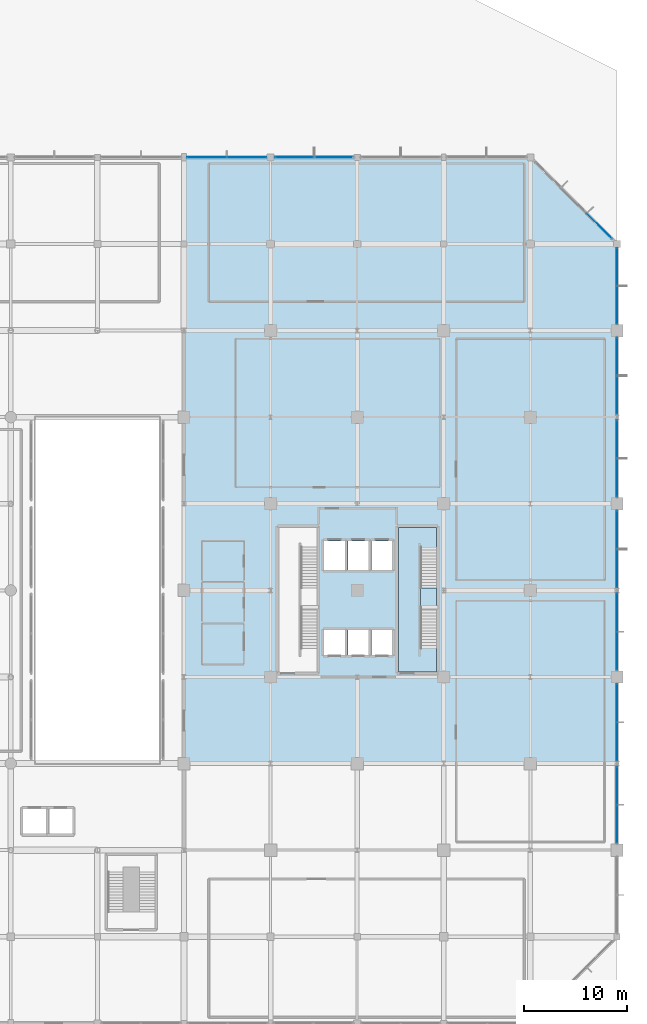
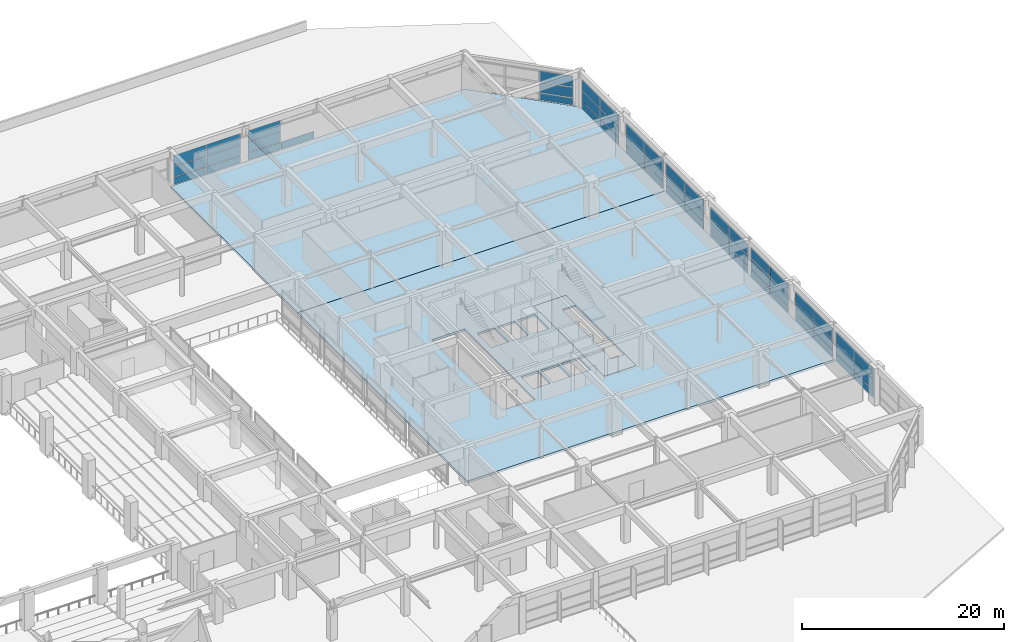
# One storey, part 41 of 60: 55 plates, 4 slabs, 11 elements without a shape of their own.
"""IFC4 building model written with IfcOpenShell, lengths in metres."""

import ifcopenshell
import ifcopenshell.guid

model = None  # the IFC model being written
_history = None  # IfcOwnerHistory: only IFC2X3 demands one
_inside = {}  # id of a spatial element -> (the spatial element, [elements in it])
_under = {}  # id of a project, library or spatial element -> (it, [spatial elements below it])
_declared = {}  # id of a project -> (the project, [libraries it declares])
_typed = {}  # id of a type object -> (the type object, [elements of that type])
_made_of = {}  # id of a material, layer set ... -> (it, [elements and type objects made of it])


def new_model(schema):
    """Start an empty IFC model of exactly this schema.

    Asked for "IFC4X3", IfcOpenShell would pick the latest addendum, in which some entities
    have other attributes; the version numbers below select the first issue.
    IFC2X3 requires an IfcOwnerHistory on every rooted entity: one is made here for all.
    """
    global model, _history
    if schema == "IFC4X3":
        model = ifcopenshell.file(schema_version=(4, 3, 0, 0))
    else:
        model = ifcopenshell.file(schema=schema)
    _inside.clear()
    _under.clear()
    _declared.clear()
    _typed.clear()
    _made_of.clear()
    _history = None
    if model.schema == "IFC2X3":
        org = make("IfcOrganization", Name="unknown")
        user = make(
            "IfcPersonAndOrganization",
            ThePerson=make("IfcPerson", FamilyName="unknown"),
            TheOrganization=org,
        )
        app = make(
            "IfcApplication",
            ApplicationDeveloper=org,
            Version="unknown",
            ApplicationFullName="unknown",
            ApplicationIdentifier="unknown",
        )
        _history = make(
            "IfcOwnerHistory",
            OwningUser=user,
            OwningApplication=app,
            ChangeAction="ADDED",
            CreationDate=0,
        )
    return model


def make(cls, **values):
    """One entity of the class cls with the attributes given. An attribute that is None is left unset."""
    return model.create_entity(
        cls, **{name: value for name, value in values.items() if value is not None}
    )


def rooted(cls, **values):
    """An entity with a GlobalId (a new one), such as an element, a storey or a relation."""
    return make(cls, GlobalId=ifcopenshell.guid.new(), OwnerHistory=_history, **values)


def si_unit(unit_type, name, prefix=None):
    """IfcSIUnit, for example si_unit("LENGTHUNIT", "METRE", prefix="MILLI")."""
    return make("IfcSIUnit", UnitType=unit_type, Prefix=prefix, Name=name)


def assignment(units):
    """IfcUnitAssignment: the units of a project."""
    return None if units is None else make("IfcUnitAssignment", Units=units)


def point(xyz):
    """IfcCartesianPoint."""
    return None if xyz is None else make("IfcCartesianPoint", Coordinates=xyz)


def direction(xyz):
    """IfcDirection."""
    return None if xyz is None else make("IfcDirection", DirectionRatios=xyz)


def frame(location, z_axis=None, x_axis=None):
    """IfcAxis2Placement3D, a coordinate frame: its origin and axes. An axis left out is left unset."""
    return make(
        "IfcAxis2Placement3D",
        Location=point(location),
        Axis=direction(z_axis),
        RefDirection=direction(x_axis),
    )


def frame_2d(location, x_axis=None):
    """IfcAxis2Placement2D, a coordinate frame in the plane: its origin and x axis."""
    return make(
        "IfcAxis2Placement2D", Location=point(location), RefDirection=direction(x_axis)
    )


def origin():
    """The frame at (0, 0, 0) with its axes left unset."""
    return frame((0.0, 0.0, 0.0))


def origin_2d():
    """The frame at (0, 0) in the plane with its x axis left unset."""
    return frame_2d((0.0, 0.0))


def place(relative_to, where):
    """IfcLocalPlacement: puts the frame where relative to a parent placement (None: the world)."""
    return make(
        "IfcLocalPlacement", PlacementRelTo=relative_to, RelativePlacement=where
    )


def context(
    kind, dimensions, precision=None, world=None, true_north=None, identifier=None
):
    """IfcGeometricRepresentationContext, for example the 3D "Model" context."""
    return make(
        "IfcGeometricRepresentationContext",
        ContextIdentifier=identifier,
        ContextType=kind,
        CoordinateSpaceDimension=dimensions,
        Precision=precision,
        WorldCoordinateSystem=world,
        TrueNorth=true_north,
    )


def subcontext(parent, identifier, kind, view, scale=None):
    """IfcGeometricRepresentationSubContext, for example "Body" below "Model"."""
    return make(
        "IfcGeometricRepresentationSubContext",
        ContextIdentifier=identifier,
        ContextType=kind,
        ParentContext=parent,
        TargetScale=scale,
        TargetView=view,
    )


def project(units=None, contexts=None):
    """IfcProject with its units and contexts."""
    return rooted(
        "IfcProject",
        Name="project",
        RepresentationContexts=contexts,
        UnitsInContext=assignment(units),
    )


def spatial(cls, under=None, at=None, **own):
    """A site, building, storey or space (cls), placed at a placement, below another one or the project."""
    s = rooted(cls, ObjectPlacement=at, **own)
    if under is not None:
        _under.setdefault(under.id(), (under, []))[1].append(s)
    return s


def polyline(points):
    """IfcPolyline through the points."""
    return make("IfcPolyline", Points=[point(p) for p in points])


def profile(cls, at=None, kind="AREA", **sizes):
    """A parametric profile (cls). Its sizes go by their IFC names, for example OverallWidth=200.0."""
    return make(cls, ProfileType=kind, Position=at, **sizes)


def rectangle(**sizes):
    """IfcRectangleProfileDef."""
    return profile("IfcRectangleProfileDef", **sizes)


def outline(outer, holes=None, kind="AREA"):
    """IfcArbitraryClosedProfileDef: a profile drawn as a closed curve; with holes, ...WithVoids."""
    if holes is None:
        return make("IfcArbitraryClosedProfileDef", ProfileType=kind, OuterCurve=outer)
    return make(
        "IfcArbitraryProfileDefWithVoids",
        ProfileType=kind,
        OuterCurve=outer,
        InnerCurves=holes,
    )


def extrude(swept, where, along, depth):
    """IfcExtrudedAreaSolid: the profile swept, set in the frame where, extruded along a direction by depth."""
    return make(
        "IfcExtrudedAreaSolid",
        SweptArea=swept,
        Position=where,
        ExtrudedDirection=direction(along),
        Depth=depth,
    )


def shape(context_of_items, identifier, shape_type, items):
    """IfcShapeRepresentation: the items that make up one representation, for example the "Body"."""
    return make(
        "IfcShapeRepresentation",
        ContextOfItems=context_of_items,
        RepresentationIdentifier=identifier,
        RepresentationType=shape_type,
        Items=items,
    )


def material(Name=None, Category=None):
    """IfcMaterial."""
    return make("IfcMaterial", Name=Name, Category=Category)


def layer(
    of_material, thickness, ventilated=None, Name=None, Category=None, Priority=None
):
    """IfcMaterialLayer: one layer of a wall or slab, of a material (None: an air gap)."""
    return make(
        "IfcMaterialLayer",
        Material=of_material,
        LayerThickness=thickness,
        IsVentilated=ventilated,
        Name=Name,
        Category=Category,
        Priority=Priority,
    )


def layer_set(layers, Name=None):
    """IfcMaterialLayerSet."""
    return make("IfcMaterialLayerSet", MaterialLayers=layers, LayerSetName=Name)


def made_of(thing, what):
    """Note that an element or type object is made of a material, layer set ...; save() writes the relation."""
    if what is not None:
        _made_of.setdefault(what.id(), (what, []))[1].append(thing)
    return thing


def type_object(cls, material=None, **own):
    """A type object (cls), such as IfcWallType, which elements share."""
    return made_of(rooted(cls, **own), material)


def element(
    cls,
    number,
    at=None,
    inside=None,
    cuts=None,
    type_object=None,
    material=None,
    context=None,
    identifier="Body",
    shape_type=None,
    held_by="IfcProductDefinitionShape",
    body=None,
    shapes=None,
    **own,
):
    """One element of the class cls, such as IfcWall. Its Tag is "e" and its number.

    at: its placement. inside: the storey or other place that contains it. cuts: it is an
    opening in that element (IfcRelVoidsElement). A single representation is given by context,
    identifier, shape_type and body (its items); several are given by shapes. held_by: the class
    of the entity that holds the representations. save() writes the other relations.
    """
    e = rooted(cls, Tag="e%d" % number, ObjectPlacement=at, **own)
    if body is not None:
        shapes = [shape(context, identifier, shape_type, body)]
    if shapes is not None:
        e.Representation = make(held_by, Representations=shapes)
    if inside is not None:
        _inside.setdefault(inside.id(), (inside, []))[1].append(e)
    if cuts is not None:
        rooted(
            "IfcRelVoidsElement", RelatingBuildingElement=cuts, RelatedOpeningElement=e
        )
    if type_object is not None:
        _typed.setdefault(type_object.id(), (type_object, []))[1].append(e)
    return made_of(e, material)


def aggregate(whole, parts):
    """IfcRelAggregates: a whole, such as a stair, and the parts it consists of."""
    return rooted("IfcRelAggregates", RelatingObject=whole, RelatedObjects=parts)


def save(model, path):
    """Write the relations noted so far, then the file.

    IfcRelAggregates (storeys below a building ...), IfcRelContainedInSpatialStructure (elements
    in a storey), IfcRelDefinesByType, IfcRelAssociatesMaterial and IfcRelDeclares: one each for
    every whole, place, type object, material and project.
    """
    for whole, parts in _under.values():
        aggregate(whole, parts)
    for where, things in _inside.values():
        rooted(
            "IfcRelContainedInSpatialStructure",
            RelatedElements=things,
            RelatingStructure=where,
        )
    for kind, things in _typed.values():
        rooted("IfcRelDefinesByType", RelatedObjects=things, RelatingType=kind)
    for what, things in _made_of.values():
        rooted("IfcRelAssociatesMaterial", RelatedObjects=things, RelatingMaterial=what)
    for by, libraries in _declared.values():
        rooted("IfcRelDeclares", RelatingContext=by, RelatedDefinitions=libraries)
    model.write(path)


model = new_model("IFC4")

# Units and contexts
model_context = context("Model", 3, precision=1e-05, world=origin(), true_north=direction((0.0, 1.0)))
body_context = subcontext(model_context, "Body", "Model", "MODEL_VIEW")
ifc_project = project(units=[si_unit("LENGTHUNIT", "METRE"), si_unit("AREAUNIT", "SQUARE_METRE"), si_unit("VOLUMEUNIT", "CUBIC_METRE"), si_unit("PLANEANGLEUNIT", "RADIAN"), si_unit("MASSUNIT", "GRAM", prefix="KILO")], contexts=[model_context])

# Site, building, storey
site_placement = place(None, origin())
site = spatial("IfcSite", under=ifc_project, at=site_placement, CompositionType="ELEMENT")
building_placement = place(site_placement, origin())
building = spatial("IfcBuilding", under=site, at=building_placement, Name="Xuanlan Plaza Opera House", CompositionType="ELEMENT")
storey_placement = place(building_placement, frame((0.0, 0.0, 9.89990234375)))
storey = spatial("IfcBuildingStorey", under=building, at=storey_placement, Name="L02", CompositionType="ELEMENT", Elevation=9.89990234375)

# Curtain wall, plates
ifc_material_1 = material(Name="Anodised Aluminium 6063-T6 and Low-E Glass", Category="aluminium")
curtain_wall_type_1 = type_object("IfcCurtainWallType", Name="ENV-CW-CW-04", PredefinedType="USERDEFINED", material=ifc_material_1)
curtain_wall_1_placement = place(storey_placement, origin())
curtain_wall_1 = element("IfcCurtainWall", 1, at=curtain_wall_1_placement, inside=storey, type_object=curtain_wall_type_1, Name="Unitised Curtain Wall L02-024", ObjectType="UNITISED CURTAIN WALL", PredefinedType="USERDEFINED")
ifc_material_2 = material(Name="Laminated Acoustic Double Glazing", Category="glass")
ifc_layer_1 = layer(ifc_material_2, 0.028076171875)
ifc_layer_set_1 = layer_set([ifc_layer_1], Name="Laminated Acoustic Double Glazing")
plate_type_1 = type_object("IfcPlateType", Name="ENV-CWP-01", PredefinedType="CURTAIN_PANEL", material=ifc_layer_set_1)
plate_1_placement = place(storey_placement, frame((168.0, 60.93408203125, 0.0703125), z_axis=(0.0, 0.0, 1.0), x_axis=(0.0, 1.0, 0.0)))
plate_1 = element("IfcPlate", 2, at=plate_1_placement, type_object=plate_type_1, Name="CW-04 panel 1.1", PredefinedType="CURTAIN_PANEL", context=body_context, shape_type="SweptSolid", body=[
    extrude(rectangle(XDim=3.6640625, YDim=0.028076171875, at=origin_2d()), origin(), (0.0, 0.0, 1.0), 0.844970703125),
])
plate_2_placement = place(storey_placement, frame((168.0, 60.93408203125, 0.985107421875), z_axis=(0.0, 0.0, 1.0), x_axis=(0.0, 1.0, 0.0)))
plate_2 = element("IfcPlate", 3, at=plate_2_placement, type_object=plate_type_1, Name="CW-04 panel 1.2", PredefinedType="CURTAIN_PANEL", context=body_context, shape_type="SweptSolid", body=[
    extrude(rectangle(XDim=3.6640625, YDim=0.028076171875, at=origin_2d()), origin(), (0.0, 0.0, 1.0), 1.22998046875),
])
plate_3_placement = place(storey_placement, frame((168.0, 60.93408203125, 2.28515625), z_axis=(0.0, 0.0, 1.0), x_axis=(0.0, 1.0, 0.0)))
plate_3 = element("IfcPlate", 4, at=plate_3_placement, type_object=plate_type_1, Name="CW-04 panel 1.3", PredefinedType="CURTAIN_PANEL", context=body_context, shape_type="SweptSolid", body=[
    extrude(rectangle(XDim=3.6640625, YDim=0.028076171875, at=origin_2d()), origin(), (0.0, 0.0, 1.0), 1.324951171875),
])
plate_4_placement = place(storey_placement, frame((168.0, 64.673095703125, 0.0703125), z_axis=(0.0, 0.0, 1.0), x_axis=(0.0, 1.0, 0.0)))
plate_4 = element("IfcPlate", 5, at=plate_4_placement, type_object=plate_type_1, Name="CW-04 panel 2.1", PredefinedType="CURTAIN_PANEL", context=body_context, shape_type="SweptSolid", body=[
    extrude(rectangle(XDim=3.6640625, YDim=0.028076171875, at=origin_2d()), origin(), (0.0, 0.0, 1.0), 0.844970703125),
])
plate_5_placement = place(storey_placement, frame((168.0, 64.673095703125, 0.985107421875), z_axis=(0.0, 0.0, 1.0), x_axis=(0.0, 1.0, 0.0)))
plate_5 = element("IfcPlate", 6, at=plate_5_placement, type_object=plate_type_1, Name="CW-04 panel 2.2", PredefinedType="CURTAIN_PANEL", context=body_context, shape_type="SweptSolid", body=[
    extrude(rectangle(XDim=3.6640625, YDim=0.028076171875, at=origin_2d()), origin(), (0.0, 0.0, 1.0), 1.22998046875),
])
plate_6_placement = place(storey_placement, frame((168.0, 64.673095703125, 2.28515625), z_axis=(0.0, 0.0, 1.0), x_axis=(0.0, 1.0, 0.0)))
plate_6 = element("IfcPlate", 7, at=plate_6_placement, type_object=plate_type_1, Name="CW-04 panel 2.3", PredefinedType="CURTAIN_PANEL", context=body_context, shape_type="SweptSolid", body=[
    extrude(rectangle(XDim=3.6640625, YDim=0.028076171875, at=origin_2d()), origin(), (0.0, 0.0, 1.0), 1.324951171875),
])
aggregate(curtain_wall_1, [plate_1, plate_2, plate_3, plate_4, plate_5, plate_6])

curtain_wall_type_2 = type_object("IfcCurtainWallType", Name="ENV-CW-CW-01", PredefinedType="USERDEFINED", material=ifc_material_1)
curtain_wall_2_placement = place(storey_placement, origin())
curtain_wall_2 = element("IfcCurtainWall", 8, at=curtain_wall_2_placement, inside=storey, type_object=curtain_wall_type_2, Name="Unitised Curtain Wall L02-021", ObjectType="UNITISED CURTAIN WALL", PredefinedType="USERDEFINED")
ifc_layer_2 = layer(ifc_material_2, 0.031982421875)
ifc_layer_set_2 = layer_set([ifc_layer_2], Name="Laminated Acoustic Double Glazing")
plate_type_2 = type_object("IfcPlateType", Name="ENV-CWP-02", PredefinedType="CURTAIN_PANEL", material=ifc_layer_set_2)
plate_7_placement = place(storey_placement, frame((168.0, 36.130859375, 0.065185546875), z_axis=(0.0, 0.0, 1.0), x_axis=(0.0, 1.0, 0.0)))
plate_7 = element("IfcPlate", 9, at=plate_7_placement, type_object=plate_type_2, Name="CW-01 panel 1.1", PredefinedType="CURTAIN_PANEL", context=body_context, shape_type="SweptSolid", body=[
    extrude(rectangle(XDim=3.6416015625, YDim=0.031982421875, at=origin_2d()), origin(), (0.0, 0.0, 1.0), 0.8525390625),
])
plate_8_placement = place(storey_placement, frame((168.0, 36.130859375, 0.982421875), z_axis=(0.0, 0.0, 1.0), x_axis=(0.0, 1.0, 0.0)))
plate_8 = element("IfcPlate", 10, at=plate_8_placement, type_object=plate_type_2, Name="CW-01 panel 1.2", PredefinedType="CURTAIN_PANEL", context=body_context, shape_type="SweptSolid", body=[
    extrude(rectangle(XDim=3.6416015625, YDim=0.031982421875, at=origin_2d()), origin(), (0.0, 0.0, 1.0), 1.235107421875),
])
plate_9_placement = place(storey_placement, frame((168.0, 36.130859375, 2.282470703125), z_axis=(0.0, 0.0, 1.0), x_axis=(0.0, 1.0, 0.0)))
plate_9 = element("IfcPlate", 11, at=plate_9_placement, type_object=plate_type_2, Name="CW-01 panel 1.3", PredefinedType="CURTAIN_PANEL", context=body_context, shape_type="SweptSolid", body=[
    extrude(rectangle(XDim=3.6416015625, YDim=0.031982421875, at=origin_2d()), origin(), (0.0, 0.0, 1.0), 1.33251953125),
])
plate_10_placement = place(storey_placement, frame((168.0, 39.8623046875, 0.065185546875), z_axis=(0.0, 0.0, 1.0), x_axis=(0.0, 1.0, 0.0)))
plate_10 = element("IfcPlate", 12, at=plate_10_placement, type_object=plate_type_2, Name="CW-01 panel 2.1", PredefinedType="CURTAIN_PANEL", context=body_context, shape_type="SweptSolid", body=[
    extrude(rectangle(XDim=3.6416015625, YDim=0.031982421875, at=origin_2d()), origin(), (0.0, 0.0, 1.0), 0.8525390625),
])
plate_11_placement = place(storey_placement, frame((168.0, 39.8623046875, 0.982421875), z_axis=(0.0, 0.0, 1.0), x_axis=(0.0, 1.0, 0.0)))
plate_11 = element("IfcPlate", 13, at=plate_11_placement, type_object=plate_type_2, Name="CW-01 panel 2.2", PredefinedType="CURTAIN_PANEL", context=body_context, shape_type="SweptSolid", body=[
    extrude(rectangle(XDim=3.6416015625, YDim=0.031982421875, at=origin_2d()), origin(), (0.0, 0.0, 1.0), 1.235107421875),
])
plate_12_placement = place(storey_placement, frame((168.0, 39.8623046875, 2.282470703125), z_axis=(0.0, 0.0, 1.0), x_axis=(0.0, 1.0, 0.0)))
plate_12 = element("IfcPlate", 14, at=plate_12_placement, type_object=plate_type_2, Name="CW-01 panel 2.3", PredefinedType="CURTAIN_PANEL", context=body_context, shape_type="SweptSolid", body=[
    extrude(rectangle(XDim=3.6416015625, YDim=0.031982421875, at=origin_2d()), origin(), (0.0, 0.0, 1.0), 1.33251953125),
])
aggregate(curtain_wall_2, [plate_7, plate_8, plate_9, plate_10, plate_11, plate_12])

curtain_wall_type_3 = type_object("IfcCurtainWallType", Name="ENV-CW-CW-02", PredefinedType="USERDEFINED", material=ifc_material_1)
curtain_wall_3_placement = place(storey_placement, origin())
curtain_wall_3 = element("IfcCurtainWall", 15, at=curtain_wall_3_placement, inside=storey, type_object=curtain_wall_type_3, Name="Unitised Curtain Wall L02-026", ObjectType="UNITISED CURTAIN WALL", PredefinedType="USERDEFINED")
plate_13_placement = place(storey_placement, frame((168.0, 77.73779296875, 0.065185546875), z_axis=(0.0, 0.0, 1.0), x_axis=(0.0, 1.0, 0.0)))
plate_13 = element("IfcPlate", 16, at=plate_13_placement, type_object=plate_type_2, Name="CW-02 panel 1.1", PredefinedType="CURTAIN_PANEL", context=body_context, shape_type="SweptSolid", body=[
    extrude(rectangle(XDim=3.6416015625, YDim=0.031982421875, at=origin_2d()), origin(), (0.0, 0.0, 1.0), 0.8525390625),
])
plate_14_placement = place(storey_placement, frame((168.0, 77.73779296875, 0.982421875), z_axis=(0.0, 0.0, 1.0), x_axis=(0.0, 1.0, 0.0)))
plate_14 = element("IfcPlate", 17, at=plate_14_placement, type_object=plate_type_2, Name="CW-02 panel 1.2", PredefinedType="CURTAIN_PANEL", context=body_context, shape_type="SweptSolid", body=[
    extrude(rectangle(XDim=3.6416015625, YDim=0.031982421875, at=origin_2d()), origin(), (0.0, 0.0, 1.0), 1.235107421875),
])
plate_15_placement = place(storey_placement, frame((168.0, 77.73779296875, 2.282470703125), z_axis=(0.0, 0.0, 1.0), x_axis=(0.0, 1.0, 0.0)))
plate_15 = element("IfcPlate", 18, at=plate_15_placement, type_object=plate_type_2, Name="CW-02 panel 1.3", PredefinedType="CURTAIN_PANEL", context=body_context, shape_type="SweptSolid", body=[
    extrude(rectangle(XDim=3.6416015625, YDim=0.031982421875, at=origin_2d()), origin(), (0.0, 0.0, 1.0), 1.33251953125),
])
plate_16_placement = place(storey_placement, frame((168.0, 81.46923828125, 0.065185546875), z_axis=(0.0, 0.0, 1.0), x_axis=(0.0, 1.0, 0.0)))
plate_16 = element("IfcPlate", 19, at=plate_16_placement, type_object=plate_type_2, Name="CW-02 panel 2.1", PredefinedType="CURTAIN_PANEL", context=body_context, shape_type="SweptSolid", body=[
    extrude(rectangle(XDim=3.6416015625, YDim=0.031982421875, at=origin_2d()), origin(), (0.0, 0.0, 1.0), 0.8525390625),
])
plate_17_placement = place(storey_placement, frame((168.0, 81.46923828125, 0.982421875), z_axis=(0.0, 0.0, 1.0), x_axis=(0.0, 1.0, 0.0)))
plate_17 = element("IfcPlate", 20, at=plate_17_placement, type_object=plate_type_2, Name="CW-02 panel 2.2", PredefinedType="CURTAIN_PANEL", context=body_context, shape_type="SweptSolid", body=[
    extrude(rectangle(XDim=3.6416015625, YDim=0.031982421875, at=origin_2d()), origin(), (0.0, 0.0, 1.0), 1.235107421875),
])
plate_18_placement = place(storey_placement, frame((168.0, 81.46923828125, 2.282470703125), z_axis=(0.0, 0.0, 1.0), x_axis=(0.0, 1.0, 0.0)))
plate_18 = element("IfcPlate", 21, at=plate_18_placement, type_object=plate_type_2, Name="CW-02 panel 2.3", PredefinedType="CURTAIN_PANEL", context=body_context, shape_type="SweptSolid", body=[
    extrude(rectangle(XDim=3.6416015625, YDim=0.031982421875, at=origin_2d()), origin(), (0.0, 0.0, 1.0), 1.33251953125),
])
aggregate(curtain_wall_3, [plate_13, plate_14, plate_15, plate_16, plate_17, plate_18])

curtain_wall_type_4 = type_object("IfcCurtainWallType", Name="ENV-CW-CW-03", PredefinedType="USERDEFINED", material=ifc_material_1)
curtain_wall_4_placement = place(storey_placement, origin())
curtain_wall_4 = element("IfcCurtainWall", 22, at=curtain_wall_4_placement, inside=storey, type_object=curtain_wall_type_4, Name="Unitised Curtain Wall L02-031", ObjectType="UNITISED CURTAIN WALL", PredefinedType="USERDEFINED")
plate_19_placement = place(storey_placement, frame((140.530029296875, 100.800048828125, 0.065185546875), z_axis=(0.0, 0.0, 1.0), x_axis=(-1.0, 0.0, 0.0)))
plate_19 = element("IfcPlate", 23, at=plate_19_placement, type_object=plate_type_2, Name="CW-03 panel 1.1", PredefinedType="CURTAIN_PANEL", context=body_context, shape_type="SweptSolid", body=[
    extrude(rectangle(XDim=3.719970703125, YDim=0.031982421875, at=origin_2d()), origin(), (0.0, 0.0, 1.0), 0.8525390625),
])
plate_20_placement = place(storey_placement, frame((136.719970703125, 100.800048828125, 0.065185546875), z_axis=(0.0, 0.0, 1.0), x_axis=(-1.0, 0.0, 0.0)))
plate_20 = element("IfcPlate", 24, at=plate_20_placement, type_object=plate_type_2, Name="CW-03 panel 2.1", PredefinedType="CURTAIN_PANEL", context=body_context, shape_type="SweptSolid", body=[
    extrude(rectangle(XDim=3.719970703125, YDim=0.031982421875, at=origin_2d()), origin(), (0.0, 0.0, 1.0), 0.8525390625),
])
plate_21_placement = place(storey_placement, frame((136.719970703125, 100.800048828125, 0.982421875), z_axis=(0.0, 0.0, 1.0), x_axis=(-1.0, 0.0, 0.0)))
plate_21 = element("IfcPlate", 25, at=plate_21_placement, type_object=plate_type_2, Name="CW-03 panel 2.2", PredefinedType="CURTAIN_PANEL", context=body_context, shape_type="SweptSolid", body=[
    extrude(rectangle(XDim=3.719970703125, YDim=0.031982421875, at=origin_2d()), origin(), (0.0, 0.0, 1.0), 1.235107421875),
])
plate_22_placement = place(storey_placement, frame((136.719970703125, 100.800048828125, 2.282470703125), z_axis=(0.0, 0.0, 1.0), x_axis=(-1.0, 0.0, 0.0)))
plate_22 = element("IfcPlate", 26, at=plate_22_placement, type_object=plate_type_2, Name="CW-03 panel 2.3", PredefinedType="CURTAIN_PANEL", context=body_context, shape_type="SweptSolid", body=[
    extrude(rectangle(XDim=3.719970703125, YDim=0.031982421875, at=origin_2d()), origin(), (0.0, 0.0, 1.0), 1.33251953125),
])
aggregate(curtain_wall_4, [plate_19, plate_20, plate_21, plate_22])

curtain_wall_5_placement = place(storey_placement, origin())
curtain_wall_5 = element("IfcCurtainWall", 27, at=curtain_wall_5_placement, inside=storey, type_object=curtain_wall_type_4, Name="Unitised Curtain Wall L02-023", ObjectType="UNITISED CURTAIN WALL", PredefinedType="USERDEFINED")
ifc_layer_3 = layer(ifc_material_2, 0.035888671875)
ifc_layer_set_3 = layer_set([ifc_layer_3], Name="Laminated Acoustic Double Glazing")
plate_type_3 = type_object("IfcPlateType", Name="ENV-CWP-03", PredefinedType="CURTAIN_PANEL", material=ifc_layer_set_3)
plate_23_placement = place(storey_placement, frame((168.0, 52.92578125, 0.090087890625), z_axis=(0.0, 0.0, 1.0), x_axis=(0.0, 1.0, 0.0)))
plate_23 = element("IfcPlate", 28, at=plate_23_placement, type_object=plate_type_3, Name="CW-03 panel 1.1", PredefinedType="CURTAIN_PANEL", context=body_context, shape_type="SweptSolid", body=[
    extrude(rectangle(XDim=3.67138671875, YDim=0.035888671875, at=origin_2d()), origin(), (0.0, 0.0, 1.0), 0.81494140625),
])
plate_24_placement = place(storey_placement, frame((168.0, 52.92578125, 0.9951171875), z_axis=(0.0, 0.0, 1.0), x_axis=(0.0, 1.0, 0.0)))
plate_24 = element("IfcPlate", 29, at=plate_24_placement, type_object=plate_type_3, Name="CW-03 panel 1.2", PredefinedType="CURTAIN_PANEL", context=body_context, shape_type="SweptSolid", body=[
    extrude(rectangle(XDim=3.67138671875, YDim=0.035888671875, at=origin_2d()), origin(), (0.0, 0.0, 1.0), 1.2099609375),
])
plate_25_placement = place(storey_placement, frame((168.0, 52.92578125, 2.295166015625), z_axis=(0.0, 0.0, 1.0), x_axis=(0.0, 1.0, 0.0)))
plate_25 = element("IfcPlate", 30, at=plate_25_placement, type_object=plate_type_3, Name="CW-03 panel 1.3", PredefinedType="CURTAIN_PANEL", context=body_context, shape_type="SweptSolid", body=[
    extrude(rectangle(XDim=3.67138671875, YDim=0.035888671875, at=origin_2d()), origin(), (0.0, 0.0, 1.0), 1.294921875),
])
plate_26_placement = place(storey_placement, frame((168.0, 56.667236328125, 0.090087890625), z_axis=(0.0, 0.0, 1.0), x_axis=(0.0, 1.0, 0.0)))
plate_26 = element("IfcPlate", 31, at=plate_26_placement, type_object=plate_type_3, Name="CW-03 panel 2.1", PredefinedType="CURTAIN_PANEL", context=body_context, shape_type="SweptSolid", body=[
    extrude(rectangle(XDim=3.67138671875, YDim=0.035888671875, at=origin_2d()), origin(), (0.0, 0.0, 1.0), 0.81494140625),
])
plate_27_placement = place(storey_placement, frame((168.0, 56.667236328125, 0.9951171875), z_axis=(0.0, 0.0, 1.0), x_axis=(0.0, 1.0, 0.0)))
plate_27 = element("IfcPlate", 32, at=plate_27_placement, type_object=plate_type_3, Name="CW-03 panel 2.2", PredefinedType="CURTAIN_PANEL", context=body_context, shape_type="SweptSolid", body=[
    extrude(rectangle(XDim=3.67138671875, YDim=0.035888671875, at=origin_2d()), origin(), (0.0, 0.0, 1.0), 1.2099609375),
])
plate_28_placement = place(storey_placement, frame((168.0, 56.667236328125, 2.295166015625), z_axis=(0.0, 0.0, 1.0), x_axis=(0.0, 1.0, 0.0)))
plate_28 = element("IfcPlate", 33, at=plate_28_placement, type_object=plate_type_3, Name="CW-03 panel 2.3", PredefinedType="CURTAIN_PANEL", context=body_context, shape_type="SweptSolid", body=[
    extrude(rectangle(XDim=3.67138671875, YDim=0.035888671875, at=origin_2d()), origin(), (0.0, 0.0, 1.0), 1.294921875),
])
aggregate(curtain_wall_5, [plate_23, plate_24, plate_25, plate_26, plate_27, plate_28])

curtain_wall_6_placement = place(storey_placement, origin())
curtain_wall_6 = element("IfcCurtainWall", 34, at=curtain_wall_6_placement, inside=storey, type_object=curtain_wall_type_1, Name="Unitised Curtain Wall L02-028", ObjectType="UNITISED CURTAIN WALL", PredefinedType="USERDEFINED")
plate_29_placement = place(storey_placement, frame((166.288330078125, 94.11181640625, 0.090087890625), z_axis=(0.0, 0.0, 1.0), x_axis=(-0.707106781187, 0.707106781187, 0.0)))
plate_29 = element("IfcPlate", 35, at=plate_29_placement, type_object=plate_type_3, Name="CW-04 panel 1.1", PredefinedType="CURTAIN_PANEL", context=body_context, shape_type="SweptSolid", body=[
    extrude(rectangle(XDim=3.431396484375, YDim=0.035888671875, at=origin_2d()), origin(), (0.0, 0.0, 1.0), 0.81494140625),
])
plate_30_placement = place(storey_placement, frame((166.288330078125, 94.11181640625, 0.9951171875), z_axis=(0.0, 0.0, 1.0), x_axis=(-0.707106781187, 0.707106781187, 0.0)))
plate_30 = element("IfcPlate", 36, at=plate_30_placement, type_object=plate_type_3, Name="CW-04 panel 1.2", PredefinedType="CURTAIN_PANEL", context=body_context, shape_type="SweptSolid", body=[
    extrude(rectangle(XDim=3.431396484375, YDim=0.035888671875, at=origin_2d()), origin(), (0.0, 0.0, 1.0), 1.2099609375),
])
plate_31_placement = place(storey_placement, frame((166.288330078125, 94.11181640625, 2.295166015625), z_axis=(0.0, 0.0, 1.0), x_axis=(-0.707106781187, 0.707106781187, 0.0)))
plate_31 = element("IfcPlate", 37, at=plate_31_placement, type_object=plate_type_3, Name="CW-04 panel 1.3", PredefinedType="CURTAIN_PANEL", context=body_context, shape_type="SweptSolid", body=[
    extrude(rectangle(XDim=3.431396484375, YDim=0.035888671875, at=origin_2d()), origin(), (0.0, 0.0, 1.0), 1.294921875),
])
aggregate(curtain_wall_6, [plate_29, plate_30, plate_31])

curtain_wall_7_placement = place(storey_placement, origin())
curtain_wall_7 = element("IfcCurtainWall", 38, at=curtain_wall_7_placement, inside=storey, type_object=curtain_wall_type_2, Name="Unitised Curtain Wall L02-025", ObjectType="UNITISED CURTAIN WALL", PredefinedType="USERDEFINED")
ifc_layer_4 = layer(ifc_material_2, 0.0400390625)
ifc_layer_set_4 = layer_set([ifc_layer_4], Name="Laminated Acoustic Double Glazing")
plate_type_4 = type_object("IfcPlateType", Name="ENV-CWP-04", PredefinedType="CURTAIN_PANEL", material=ifc_layer_set_4)
plate_32_placement = place(storey_placement, frame((168.0, 69.728271484375, 0.080078125), z_axis=(0.0, 0.0, 1.0), x_axis=(0.0, 1.0, 0.0)))
plate_32 = element("IfcPlate", 39, at=plate_32_placement, type_object=plate_type_4, Name="CW-01 panel 1.1", PredefinedType="CURTAIN_PANEL", context=body_context, shape_type="SweptSolid", body=[
    extrude(rectangle(XDim=3.656494140625, YDim=0.0400390625, at=origin_2d()), origin(), (0.0, 0.0, 1.0), 0.830078125),
])
plate_33_placement = place(storey_placement, frame((168.0, 69.728271484375, 0.990234375), z_axis=(0.0, 0.0, 1.0), x_axis=(0.0, 1.0, 0.0)))
plate_33 = element("IfcPlate", 40, at=plate_33_placement, type_object=plate_type_4, Name="CW-01 panel 1.2", PredefinedType="CURTAIN_PANEL", context=body_context, shape_type="SweptSolid", body=[
    extrude(rectangle(XDim=3.656494140625, YDim=0.0400390625, at=origin_2d()), origin(), (0.0, 0.0, 1.0), 1.219970703125),
])
plate_34_placement = place(storey_placement, frame((168.0, 69.728271484375, 2.2900390625), z_axis=(0.0, 0.0, 1.0), x_axis=(0.0, 1.0, 0.0)))
plate_34 = element("IfcPlate", 41, at=plate_34_placement, type_object=plate_type_4, Name="CW-01 panel 1.3", PredefinedType="CURTAIN_PANEL", context=body_context, shape_type="SweptSolid", body=[
    extrude(rectangle(XDim=3.656494140625, YDim=0.0400390625, at=origin_2d()), origin(), (0.0, 0.0, 1.0), 1.31005859375),
])
plate_35_placement = place(storey_placement, frame((168.0, 73.46484375, 0.080078125), z_axis=(0.0, 0.0, 1.0), x_axis=(0.0, 1.0, 0.0)))
plate_35 = element("IfcPlate", 42, at=plate_35_placement, type_object=plate_type_4, Name="CW-01 panel 2.1", PredefinedType="CURTAIN_PANEL", context=body_context, shape_type="SweptSolid", body=[
    extrude(rectangle(XDim=3.656494140625, YDim=0.0400390625, at=origin_2d()), origin(), (0.0, 0.0, 1.0), 0.830078125),
])
plate_36_placement = place(storey_placement, frame((168.0, 73.46484375, 0.990234375), z_axis=(0.0, 0.0, 1.0), x_axis=(0.0, 1.0, 0.0)))
plate_36 = element("IfcPlate", 43, at=plate_36_placement, type_object=plate_type_4, Name="CW-01 panel 2.2", PredefinedType="CURTAIN_PANEL", context=body_context, shape_type="SweptSolid", body=[
    extrude(rectangle(XDim=3.656494140625, YDim=0.0400390625, at=origin_2d()), origin(), (0.0, 0.0, 1.0), 1.219970703125),
])
plate_37_placement = place(storey_placement, frame((168.0, 73.46484375, 2.2900390625), z_axis=(0.0, 0.0, 1.0), x_axis=(0.0, 1.0, 0.0)))
plate_37 = element("IfcPlate", 44, at=plate_37_placement, type_object=plate_type_4, Name="CW-01 panel 2.3", PredefinedType="CURTAIN_PANEL", context=body_context, shape_type="SweptSolid", body=[
    extrude(rectangle(XDim=3.656494140625, YDim=0.0400390625, at=origin_2d()), origin(), (0.0, 0.0, 1.0), 1.31005859375),
])
aggregate(curtain_wall_7, [plate_32, plate_33, plate_34, plate_35, plate_36, plate_37])

curtain_wall_8_placement = place(storey_placement, origin())
curtain_wall_8 = element("IfcCurtainWall", 45, at=curtain_wall_8_placement, inside=storey, type_object=curtain_wall_type_3, Name="Unitised Curtain Wall L02-022", ObjectType="UNITISED CURTAIN WALL", PredefinedType="USERDEFINED")
ifc_layer_5 = layer(ifc_material_2, 0.0439453125)
ifc_layer_set_5 = layer_set([ifc_layer_5], Name="Laminated Acoustic Double Glazing")
plate_type_5 = type_object("IfcPlateType", Name="ENV-CWP-05", PredefinedType="CURTAIN_PANEL", material=ifc_layer_set_5)
plate_38_placement = place(storey_placement, frame((168.0, 44.131591796875, 0.0751953125), z_axis=(0.0, 0.0, 1.0), x_axis=(0.0, 1.0, 0.0)))
plate_38 = element("IfcPlate", 46, at=plate_38_placement, type_object=plate_type_5, Name="CW-02 panel 1.1", PredefinedType="CURTAIN_PANEL", context=body_context, shape_type="SweptSolid", body=[
    extrude(rectangle(XDim=3.678955078125, YDim=0.0439453125, at=origin_2d()), origin(), (0.0, 0.0, 1.0), 0.83740234375),
])
plate_39_placement = place(storey_placement, frame((168.0, 44.131591796875, 0.987548828125), z_axis=(0.0, 0.0, 1.0), x_axis=(0.0, 1.0, 0.0)))
plate_39 = element("IfcPlate", 47, at=plate_39_placement, type_object=plate_type_5, Name="CW-02 panel 1.2", PredefinedType="CURTAIN_PANEL", context=body_context, shape_type="SweptSolid", body=[
    extrude(rectangle(XDim=3.678955078125, YDim=0.0439453125, at=origin_2d()), origin(), (0.0, 0.0, 1.0), 1.22509765625),
])
plate_40_placement = place(storey_placement, frame((168.0, 44.131591796875, 2.28759765625), z_axis=(0.0, 0.0, 1.0), x_axis=(0.0, 1.0, 0.0)))
plate_40 = element("IfcPlate", 48, at=plate_40_placement, type_object=plate_type_5, Name="CW-02 panel 1.3", PredefinedType="CURTAIN_PANEL", context=body_context, shape_type="SweptSolid", body=[
    extrude(rectangle(XDim=3.678955078125, YDim=0.0439453125, at=origin_2d()), origin(), (0.0, 0.0, 1.0), 1.3173828125),
])
plate_41_placement = place(storey_placement, frame((168.0, 47.87548828125, 0.0751953125), z_axis=(0.0, 0.0, 1.0), x_axis=(0.0, 1.0, 0.0)))
plate_41 = element("IfcPlate", 49, at=plate_41_placement, type_object=plate_type_5, Name="CW-02 panel 2.1", PredefinedType="CURTAIN_PANEL", context=body_context, shape_type="SweptSolid", body=[
    extrude(rectangle(XDim=3.678955078125, YDim=0.0439453125, at=origin_2d()), origin(), (0.0, 0.0, 1.0), 0.83740234375),
])
plate_42_placement = place(storey_placement, frame((168.0, 47.87548828125, 0.987548828125), z_axis=(0.0, 0.0, 1.0), x_axis=(0.0, 1.0, 0.0)))
plate_42 = element("IfcPlate", 50, at=plate_42_placement, type_object=plate_type_5, Name="CW-02 panel 2.2", PredefinedType="CURTAIN_PANEL", context=body_context, shape_type="SweptSolid", body=[
    extrude(rectangle(XDim=3.678955078125, YDim=0.0439453125, at=origin_2d()), origin(), (0.0, 0.0, 1.0), 1.22509765625),
])
plate_43_placement = place(storey_placement, frame((168.0, 47.87548828125, 2.28759765625), z_axis=(0.0, 0.0, 1.0), x_axis=(0.0, 1.0, 0.0)))
plate_43 = element("IfcPlate", 51, at=plate_43_placement, type_object=plate_type_5, Name="CW-02 panel 2.3", PredefinedType="CURTAIN_PANEL", context=body_context, shape_type="SweptSolid", body=[
    extrude(rectangle(XDim=3.678955078125, YDim=0.0439453125, at=origin_2d()), origin(), (0.0, 0.0, 1.0), 1.3173828125),
])
aggregate(curtain_wall_8, [plate_38, plate_39, plate_40, plate_41, plate_42, plate_43])

curtain_wall_9_placement = place(storey_placement, origin())
curtain_wall_9 = element("IfcCurtainWall", 52, at=curtain_wall_9_placement, inside=storey, type_object=curtain_wall_type_4, Name="Unitised Curtain Wall L02-027", ObjectType="UNITISED CURTAIN WALL", PredefinedType="USERDEFINED")
plate_44_placement = place(storey_placement, frame((168.0, 86.48876953125, 0.0751953125), z_axis=(0.0, 0.0, 1.0), x_axis=(0.0, 1.0, 0.0)))
plate_44 = element("IfcPlate", 53, at=plate_44_placement, type_object=plate_type_5, Name="CW-03 panel 1.1", PredefinedType="CURTAIN_PANEL", context=body_context, shape_type="SweptSolid", body=[
    extrude(rectangle(XDim=3.607421875, YDim=0.0439453125, at=origin_2d()), origin(), (0.0, 0.0, 1.0), 0.83740234375),
])
plate_45_placement = place(storey_placement, frame((168.0, 86.48876953125, 0.987548828125), z_axis=(0.0, 0.0, 1.0), x_axis=(0.0, 1.0, 0.0)))
plate_45 = element("IfcPlate", 54, at=plate_45_placement, type_object=plate_type_5, Name="CW-03 panel 1.2", PredefinedType="CURTAIN_PANEL", context=body_context, shape_type="SweptSolid", body=[
    extrude(rectangle(XDim=3.607421875, YDim=0.0439453125, at=origin_2d()), origin(), (0.0, 0.0, 1.0), 1.22509765625),
])
plate_46_placement = place(storey_placement, frame((168.0, 86.48876953125, 2.28759765625), z_axis=(0.0, 0.0, 1.0), x_axis=(0.0, 1.0, 0.0)))
plate_46 = element("IfcPlate", 55, at=plate_46_placement, type_object=plate_type_5, Name="CW-03 panel 1.3", PredefinedType="CURTAIN_PANEL", context=body_context, shape_type="SweptSolid", body=[
    extrude(rectangle(XDim=3.607421875, YDim=0.0439453125, at=origin_2d()), origin(), (0.0, 0.0, 1.0), 1.3173828125),
])
plate_47_placement = place(storey_placement, frame((168.0, 90.1611328125, 0.0751953125), z_axis=(0.0, 0.0, 1.0), x_axis=(0.0, 1.0, 0.0)))
plate_47 = element("IfcPlate", 56, at=plate_47_placement, type_object=plate_type_5, Name="CW-03 panel 2.1", PredefinedType="CURTAIN_PANEL", context=body_context, shape_type="SweptSolid", body=[
    extrude(rectangle(XDim=3.607421875, YDim=0.0439453125, at=origin_2d()), origin(), (0.0, 0.0, 1.0), 0.83740234375),
])
plate_48_placement = place(storey_placement, frame((168.0, 90.1611328125, 0.987548828125), z_axis=(0.0, 0.0, 1.0), x_axis=(0.0, 1.0, 0.0)))
plate_48 = element("IfcPlate", 57, at=plate_48_placement, type_object=plate_type_5, Name="CW-03 panel 2.2", PredefinedType="CURTAIN_PANEL", context=body_context, shape_type="SweptSolid", body=[
    extrude(rectangle(XDim=3.607421875, YDim=0.0439453125, at=origin_2d()), origin(), (0.0, 0.0, 1.0), 1.22509765625),
])
plate_49_placement = place(storey_placement, frame((168.0, 90.1611328125, 2.28759765625), z_axis=(0.0, 0.0, 1.0), x_axis=(0.0, 1.0, 0.0)))
plate_49 = element("IfcPlate", 58, at=plate_49_placement, type_object=plate_type_5, Name="CW-03 panel 2.3", PredefinedType="CURTAIN_PANEL", context=body_context, shape_type="SweptSolid", body=[
    extrude(rectangle(XDim=3.607421875, YDim=0.0439453125, at=origin_2d()), origin(), (0.0, 0.0, 1.0), 1.3173828125),
])
aggregate(curtain_wall_9, [plate_44, plate_45, plate_46, plate_47, plate_48, plate_49])

curtain_wall_type_5 = type_object("IfcCurtainWallType", Name="ENV-CW-CW-05", PredefinedType="USERDEFINED", material=ifc_material_1)
curtain_wall_10_placement = place(storey_placement, origin())
curtain_wall_10 = element("IfcCurtainWall", 59, at=curtain_wall_10_placement, inside=storey, type_object=curtain_wall_type_5, Name="Acoustic Glazed Wall L02-032", ObjectType="ACOUSTIC GLAZED WALL", PredefinedType="USERDEFINED")
plate_50_placement = place(storey_placement, frame((132.07373046875, 100.800048828125, 0.0751953125), z_axis=(0.0, 0.0, 1.0), x_axis=(-1.0, 0.0, 0.0)))
plate_50 = element("IfcPlate", 60, at=plate_50_placement, type_object=plate_type_5, Name="CW-05 panel 1.1", PredefinedType="CURTAIN_PANEL", context=body_context, shape_type="SweptSolid", body=[
    extrude(rectangle(XDim=3.782470703125, YDim=0.0439453125, at=origin_2d()), origin(), (0.0, 0.0, 1.0), 0.83740234375),
])
plate_51_placement = place(storey_placement, frame((132.07373046875, 100.800048828125, 0.987548828125), z_axis=(0.0, 0.0, 1.0), x_axis=(-1.0, 0.0, 0.0)))
plate_51 = element("IfcPlate", 61, at=plate_51_placement, type_object=plate_type_5, Name="CW-05 panel 1.2", PredefinedType="CURTAIN_PANEL", context=body_context, shape_type="SweptSolid", body=[
    extrude(rectangle(XDim=3.782470703125, YDim=0.0439453125, at=origin_2d()), origin(), (0.0, 0.0, 1.0), 1.22509765625),
])
plate_52_placement = place(storey_placement, frame((132.07373046875, 100.800048828125, 2.28759765625), z_axis=(0.0, 0.0, 1.0), x_axis=(-1.0, 0.0, 0.0)))
plate_52 = element("IfcPlate", 62, at=plate_52_placement, type_object=plate_type_5, Name="CW-05 panel 1.3", PredefinedType="CURTAIN_PANEL", context=body_context, shape_type="SweptSolid", body=[
    extrude(rectangle(XDim=3.782470703125, YDim=0.0439453125, at=origin_2d()), origin(), (0.0, 0.0, 1.0), 1.3173828125),
])
plate_53_placement = place(storey_placement, frame((128.226318359375, 100.800048828125, 0.0751953125), z_axis=(0.0, 0.0, 1.0), x_axis=(-1.0, 0.0, 0.0)))
plate_53 = element("IfcPlate", 63, at=plate_53_placement, type_object=plate_type_5, Name="CW-05 panel 2.1", PredefinedType="CURTAIN_PANEL", context=body_context, shape_type="SweptSolid", body=[
    extrude(rectangle(XDim=3.782470703125, YDim=0.0439453125, at=origin_2d()), origin(), (0.0, 0.0, 1.0), 0.83740234375),
])
plate_54_placement = place(storey_placement, frame((128.226318359375, 100.800048828125, 0.987548828125), z_axis=(0.0, 0.0, 1.0), x_axis=(-1.0, 0.0, 0.0)))
plate_54 = element("IfcPlate", 64, at=plate_54_placement, type_object=plate_type_5, Name="CW-05 panel 2.2", PredefinedType="CURTAIN_PANEL", context=body_context, shape_type="SweptSolid", body=[
    extrude(rectangle(XDim=3.782470703125, YDim=0.0439453125, at=origin_2d()), origin(), (0.0, 0.0, 1.0), 1.22509765625),
])
plate_55_placement = place(storey_placement, frame((128.226318359375, 100.800048828125, 2.28759765625), z_axis=(0.0, 0.0, 1.0), x_axis=(-1.0, 0.0, 0.0)))
plate_55 = element("IfcPlate", 65, at=plate_55_placement, type_object=plate_type_5, Name="CW-05 panel 2.3", PredefinedType="CURTAIN_PANEL", context=body_context, shape_type="SweptSolid", body=[
    extrude(rectangle(XDim=3.782470703125, YDim=0.0439453125, at=origin_2d()), origin(), (0.0, 0.0, 1.0), 1.3173828125),
])
aggregate(curtain_wall_10, [plate_50, plate_51, plate_52, plate_53, plate_54, plate_55])

# Stair, slabs
ifc_material_3 = material(Name="Concrete C40", Category="concrete")
stair_type = type_object("IfcStairType", Name="INT-ST-STR-T155", PredefinedType="STRAIGHT_RUN_STAIR", material=ifc_material_3)
stair_placement = place(storey_placement, origin())
stair = element("IfcStair", 66, at=stair_placement, inside=storey, type_object=stair_type, Name="Protected Exit Stair ST-T2 L02", PredefinedType="STRAIGHT_RUN_STAIR")
ifc_layer_6 = layer(ifc_material_3, 0.199951171875)
ifc_layer_set_6 = layer_set([ifc_layer_6], Name="Concrete C40")
slab_type_1 = type_object("IfcSlabType", Name="INT-SLB-LND-20", PredefinedType="LANDING", material=ifc_layer_set_6)
slab_1_placement = place(storey_placement, frame((0.0, 0.0, 2.050048828125)))
slab_1 = element("IfcSlab", 67, at=slab_1_placement, type_object=slab_type_1, Name="ST-T2-L02 landing 1", PredefinedType="LANDING", context=body_context, shape_type="SweptSolid", body=[
    extrude(outline(polyline([(148.949951171875, 57.135009765625), (150.5, 57.135009765625), (150.5, 59.034912109375), (148.949951171875, 59.034912109375), (148.949951171875, 57.135009765625)])), origin(), (0.0, 0.0, 1.0), 0.199951171875),
])
slab_2_placement = place(storey_placement, frame((0.0, 0.0, -0.199951171875)))
slab_2 = element("IfcSlab", 68, at=slab_2_placement, type_object=slab_type_1, Name="ST-T2-L02 landing 2", PredefinedType="LANDING", context=body_context, shape_type="SweptSolid", body=[
    extrude(outline(polyline([(146.800048828125, 50.89990234375), (150.5, 50.89990234375), (150.5, 53.195068359375), (148.949951171875, 53.195068359375), (148.949951171875, 62.97509765625), (150.5, 62.97509765625), (150.5, 64.89990234375), (146.800048828125, 64.89990234375), (146.800048828125, 50.89990234375)])), origin(), (0.0, 0.0, 1.0), 0.199951171875),
])
aggregate(stair, [slab_1, slab_2])

# Slabs
ifc_layer_7 = layer(ifc_material_3, 0.260009765625)
ifc_layer_set_7 = layer_set([ifc_layer_7], Name="Concrete C40")
slab_type_2 = type_object("IfcSlabType", Name="STR-SLB-SL-02", PredefinedType="FLOOR", material=ifc_layer_set_7)
slab_3_placement = place(storey_placement, frame((0.0, 0.0, -0.260009765625)))
element("IfcSlab", 69, at=slab_3_placement, inside=storey, type_object=slab_type_2, Name="Storey L02 Structural Floor Slab Zone 15", PredefinedType="FLOOR", context=body_context, shape_type="SweptSolid", body=[
    extrude(outline(polyline([(168.0, 42.0), (126.0, 42.0), (126.0, 75.60009765625), (168.0, 75.60009765625), (168.0, 42.0)]), holes=[polyline([(138.89990234375, 64.89990234375), (135.199951171875, 64.89990234375), (135.199951171875, 50.89990234375), (138.89990234375, 50.89990234375), (138.89990234375, 64.89990234375)]), polyline([(150.5, 50.89990234375), (150.5, 64.89990234375), (146.800048828125, 64.89990234375), (146.800048828125, 50.89990234375), (150.5, 50.89990234375)]), polyline([(141.60009765625, 60.800048828125), (141.60009765625, 63.60009765625), (139.60009765625, 63.60009765625), (139.60009765625, 60.800048828125), (141.60009765625, 60.800048828125)]), polyline([(141.89990234375, 60.800048828125), (143.89990234375, 60.800048828125), (143.89990234375, 63.60009765625), (141.89990234375, 63.60009765625), (141.89990234375, 60.800048828125)]), polyline([(144.199951171875, 63.60009765625), (144.199951171875, 60.800048828125), (146.199951171875, 60.800048828125), (146.199951171875, 63.60009765625), (144.199951171875, 63.60009765625)]), polyline([(141.60009765625, 54.949951171875), (139.60009765625, 54.949951171875), (139.60009765625, 52.550048828125), (141.60009765625, 52.550048828125), (141.60009765625, 54.949951171875)]), polyline([(143.89990234375, 52.550048828125), (143.89990234375, 54.949951171875), (141.89990234375, 54.949951171875), (141.89990234375, 52.550048828125), (143.89990234375, 52.550048828125)]), polyline([(144.199951171875, 52.550048828125), (146.199951171875, 52.550048828125), (146.199951171875, 54.949951171875), (144.199951171875, 54.949951171875), (144.199951171875, 52.550048828125)])]), origin(), (0.0, 0.0, 1.0), 0.260009765625),
])
slab_4_placement = place(storey_placement, frame((0.0, 0.0, -0.260009765625)))
element("IfcSlab", 70, at=slab_4_placement, inside=storey, type_object=slab_type_2, Name="Storey L02 Structural Floor Slab Zone 16", PredefinedType="FLOOR", context=body_context, shape_type="SweptSolid", body=[
    extrude(outline(polyline([(168.0, 75.60009765625), (126.0, 75.60009765625), (126.0, 100.800048828125), (159.60009765625, 100.800048828125), (168.0, 92.39990234375), (168.0, 75.60009765625)])), origin(), (0.0, 0.0, 1.0), 0.260009765625),
])

save(model, "model.ifc")
